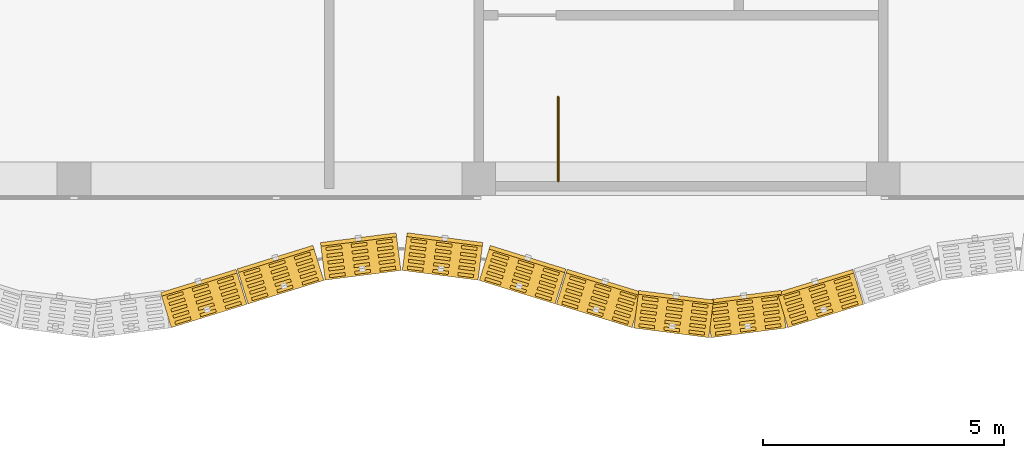
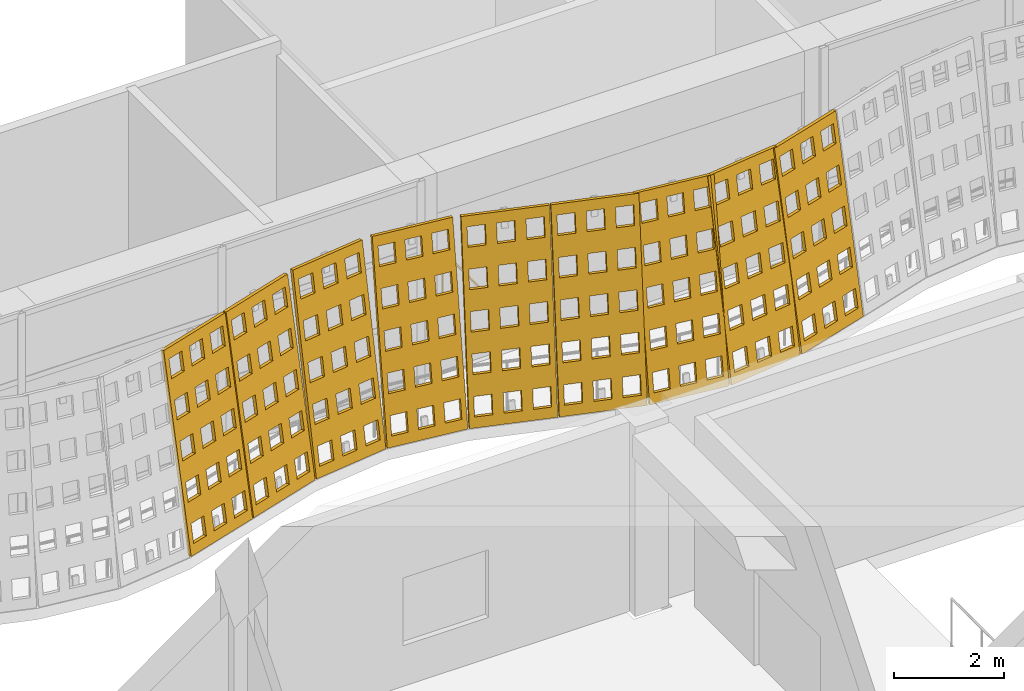
# One storey, part 146 of 162: 9 coverings, 1 railing.
"""IFC4 building model written with IfcOpenShell, lengths in metres."""

from ifc_helpers import new_model, si_unit, direction, frame, origin, origin_2d, place, context, subcontext, project, spatial, polyline, circle, outline, extrude, material, layer, layer_set, type_object, element, save


model = new_model("IFC4")

# Units and contexts
model_context = context("Model", 3, precision=1e-05, world=origin(), true_north=direction((0.0, 1.0)))
body_context = subcontext(model_context, "Body", "Model", "MODEL_VIEW")
ifc_project = project(units=[si_unit("LENGTHUNIT", "METRE"), si_unit("AREAUNIT", "SQUARE_METRE"), si_unit("VOLUMEUNIT", "CUBIC_METRE"), si_unit("PLANEANGLEUNIT", "RADIAN"), si_unit("MASSUNIT", "GRAM", prefix="KILO")], contexts=[model_context])

# Site, building, storey
site_placement = place(None, origin())
site = spatial("IfcSite", under=ifc_project, at=site_placement, CompositionType="ELEMENT")
building_placement = place(site_placement, origin())
building = spatial("IfcBuilding", under=site, at=building_placement, Name="Rain Tree Exposition and Congress Centre", CompositionType="ELEMENT")
storey_placement = place(building_placement, frame((0.0, 0.0, 6.0)))
storey = spatial("IfcBuildingStorey", under=building, at=storey_placement, Name="L01", CompositionType="ELEMENT", Elevation=6.0)

# Railing
ifc_material_1 = material(Name="Aluminium and glass balustrade", Category="aluminium")
railing_type = type_object("IfcRailingType", Name="Concourse guard 1100", PredefinedType="GUARDRAIL", material=ifc_material_1)
railing_placement = place(storey_placement, frame((169.64990234375, 75.550048828125, 0.0)))
element("IfcRailing", 1, at=railing_placement, inside=storey, type_object=railing_type, Name="L01 ST-C4 top well guard 1", PredefinedType="GUARDRAIL", context=body_context, shape_type="SweptSolid", body=[
    extrude(circle(Radius=0.02392578125, at=origin_2d()), frame((0.0, 0.0, 1.076171875), z_axis=(0.0, 1.0, 0.0), x_axis=(-1.0, 0.0, 0.0)), (0.0, 0.0, 1.0), 1.75),
    extrude(circle(Radius=0.02099609375, at=origin_2d()), origin(), (0.0, 0.0, 1.0), 1.052001953125),
    extrude(circle(Radius=0.02099609375, at=origin_2d()), frame((0.0, 0.875, 0.0)), (0.0, 0.0, 1.0), 1.052001953125),
    extrude(circle(Radius=0.02099609375, at=origin_2d()), frame((0.0, 1.75, 0.0)), (0.0, 0.0, 1.0), 1.052001953125),
])

# Coverings
ifc_material_2 = material(Name="Perforated terracotta", Category="masonry")
ifc_layer = layer(ifc_material_2, 0.080078125)
ifc_layer_set = layer_set([ifc_layer], Name="Perforated terracotta")
covering_type = type_object("IfcCoveringType", Name="Terracotta screen 80", PredefinedType="CLADDING", material=ifc_layer_set)
covering_1_placement = place(storey_placement, frame((161.599365234375, 72.506591796875, 0.0126953125), z_axis=(-0.290138898064, 0.943714942124, -0.158812870519), x_axis=(-0.955845867297, -0.293868470528, 0.0)))
element("IfcCovering", 2, at=covering_1_placement, inside=storey, type_object=covering_type, Name="concourse/screen/L01/102", PredefinedType="CLADDING", context=body_context, shape_type="SweptSolid", body=[
    extrude(outline(polyline([(-1.659912109375, 0.0), (-1.659912109375, 4.29150390625), (-0.02197265625, 4.29150390625), (-0.02197265625, 0.0), (-1.659912109375, 0.0)]), holes=[polyline([(-0.125732421875, 0.221435546875), (-0.125732421875, 0.63671875), (-0.464111328125, 0.63671875), (-0.464111328125, 0.221435546875), (-0.125732421875, 0.221435546875)]), polyline([(-0.125732421875, 1.079833984375), (-0.125732421875, 1.4951171875), (-0.464111328125, 1.4951171875), (-0.464111328125, 1.079833984375), (-0.125732421875, 1.079833984375)]), polyline([(-0.125732421875, 1.93798828125), (-0.125732421875, 2.353271484375), (-0.464111328125, 2.353271484375), (-0.464111328125, 1.93798828125), (-0.125732421875, 1.93798828125)]), polyline([(-0.125732421875, 2.79638671875), (-0.125732421875, 3.211669921875), (-0.464111328125, 3.211669921875), (-0.464111328125, 2.79638671875), (-0.125732421875, 2.79638671875)]), polyline([(-0.125732421875, 3.654541015625), (-0.125732421875, 4.06982421875), (-0.464111328125, 4.06982421875), (-0.464111328125, 3.654541015625), (-0.125732421875, 3.654541015625)]), polyline([(-0.671630859375, 0.221435546875), (-0.671630859375, 0.63671875), (-1.010009765625, 0.63671875), (-1.010009765625, 0.221435546875), (-0.671630859375, 0.221435546875)]), polyline([(-0.671630859375, 1.079833984375), (-0.671630859375, 1.4951171875), (-1.010009765625, 1.4951171875), (-1.010009765625, 1.079833984375), (-0.671630859375, 1.079833984375)]), polyline([(-0.671630859375, 1.93798828125), (-0.671630859375, 2.353271484375), (-1.010009765625, 2.353271484375), (-1.010009765625, 1.93798828125), (-0.671630859375, 1.93798828125)]), polyline([(-0.671630859375, 2.79638671875), (-0.671630859375, 3.211669921875), (-1.010009765625, 3.211669921875), (-1.010009765625, 2.79638671875), (-0.671630859375, 2.79638671875)]), polyline([(-0.671630859375, 3.654541015625), (-0.671630859375, 4.06982421875), (-1.010009765625, 4.06982421875), (-1.010009765625, 3.654541015625), (-0.671630859375, 3.654541015625)]), polyline([(-1.217529296875, 0.221435546875), (-1.217529296875, 0.63671875), (-1.55615234375, 0.63671875), (-1.55615234375, 0.221435546875), (-1.217529296875, 0.221435546875)]), polyline([(-1.217529296875, 1.079833984375), (-1.217529296875, 1.4951171875), (-1.55615234375, 1.4951171875), (-1.55615234375, 1.079833984375), (-1.217529296875, 1.079833984375)]), polyline([(-1.217529296875, 1.93798828125), (-1.217529296875, 2.353271484375), (-1.55615234375, 2.353271484375), (-1.55615234375, 1.93798828125), (-1.217529296875, 1.93798828125)]), polyline([(-1.217529296875, 2.79638671875), (-1.217529296875, 3.211669921875), (-1.55615234375, 3.211669921875), (-1.55615234375, 2.79638671875), (-1.217529296875, 2.79638671875)]), polyline([(-1.217529296875, 3.654541015625), (-1.217529296875, 4.06982421875), (-1.55615234375, 4.06982421875), (-1.55615234375, 3.654541015625), (-1.217529296875, 3.654541015625)])]), origin(), (0.0, 0.0, 1.0), 0.079833984375),
])
covering_2_placement = place(storey_placement, frame((163.199462890625, 73.001708984375, 0.0126953125), z_axis=(-0.292932171154, 0.942875425902, -0.158671592708), x_axis=(-0.954973588716, -0.296690823679, 0.0)))
element("IfcCovering", 3, at=covering_2_placement, inside=storey, type_object=covering_type, Name="concourse/screen/L01/103", PredefinedType="CLADDING", context=body_context, shape_type="SweptSolid", body=[
    extrude(outline(polyline([(-1.659912109375, 0.0), (-1.659912109375, 4.29150390625), (-0.014892578125, 4.29150390625), (-0.014892578125, 0.0), (-1.659912109375, 0.0)]), holes=[polyline([(-0.119140625, 0.221435546875), (-0.119140625, 0.63671875), (-0.458984375, 0.63671875), (-0.458984375, 0.221435546875), (-0.119140625, 0.221435546875)]), polyline([(-0.119140625, 1.079833984375), (-0.119140625, 1.4951171875), (-0.458984375, 1.4951171875), (-0.458984375, 1.079833984375), (-0.119140625, 1.079833984375)]), polyline([(-0.119140625, 1.93798828125), (-0.119140625, 2.353271484375), (-0.458984375, 2.353271484375), (-0.458984375, 1.93798828125), (-0.119140625, 1.93798828125)]), polyline([(-0.119140625, 2.79638671875), (-0.119140625, 3.211669921875), (-0.458984375, 3.211669921875), (-0.458984375, 2.79638671875), (-0.119140625, 2.79638671875)]), polyline([(-0.119140625, 3.654541015625), (-0.119140625, 4.06982421875), (-0.458984375, 4.06982421875), (-0.458984375, 3.654541015625), (-0.119140625, 3.654541015625)]), polyline([(-0.66748046875, 0.221435546875), (-0.66748046875, 0.63671875), (-1.00732421875, 0.63671875), (-1.00732421875, 0.221435546875), (-0.66748046875, 0.221435546875)]), polyline([(-0.66748046875, 1.079833984375), (-0.66748046875, 1.4951171875), (-1.00732421875, 1.4951171875), (-1.00732421875, 1.079833984375), (-0.66748046875, 1.079833984375)]), polyline([(-0.66748046875, 1.93798828125), (-0.66748046875, 2.353271484375), (-1.00732421875, 2.353271484375), (-1.00732421875, 1.93798828125), (-0.66748046875, 1.93798828125)]), polyline([(-0.66748046875, 2.79638671875), (-0.66748046875, 3.211669921875), (-1.00732421875, 3.211669921875), (-1.00732421875, 2.79638671875), (-0.66748046875, 2.79638671875)]), polyline([(-0.66748046875, 3.654541015625), (-0.66748046875, 4.06982421875), (-1.00732421875, 4.06982421875), (-1.00732421875, 3.654541015625), (-0.66748046875, 3.654541015625)]), polyline([(-1.2158203125, 0.221435546875), (-1.2158203125, 0.63671875), (-1.5556640625, 0.63671875), (-1.5556640625, 0.221435546875), (-1.2158203125, 0.221435546875)]), polyline([(-1.2158203125, 1.079833984375), (-1.2158203125, 1.4951171875), (-1.5556640625, 1.4951171875), (-1.5556640625, 1.079833984375), (-1.2158203125, 1.079833984375)]), polyline([(-1.2158203125, 1.93798828125), (-1.2158203125, 2.353271484375), (-1.5556640625, 2.353271484375), (-1.5556640625, 1.93798828125), (-1.2158203125, 1.93798828125)]), polyline([(-1.2158203125, 2.79638671875), (-1.2158203125, 3.211669921875), (-1.5556640625, 3.211669921875), (-1.5556640625, 2.79638671875), (-1.2158203125, 2.79638671875)]), polyline([(-1.2158203125, 3.654541015625), (-1.2158203125, 4.06982421875), (-1.5556640625, 4.06982421875), (-1.5556640625, 3.654541015625), (-1.2158203125, 3.654541015625)])]), origin(), (0.0, 0.0, 1.0), 0.080078125),
])
covering_3_placement = place(storey_placement, frame((164.7998046875, 73.496826171875, 0.01318359375), z_axis=(-0.124968640969, 0.978413018317, -0.164592844203), x_axis=(-0.991941518713, -0.126696580272, 0.0)))
element("IfcCovering", 4, at=covering_3_placement, inside=storey, type_object=covering_type, Name="concourse/screen/L01/104", PredefinedType="CLADDING", context=body_context, shape_type="SweptSolid", body=[
    extrude(outline(polyline([(-1.59814453125, 0.0), (-1.59814453125, 4.295166015625), (-0.014892578125, 4.295166015625), (-0.014892578125, 0.0), (-1.59814453125, 0.0)]), holes=[polyline([(-0.115234375, 0.2216796875), (-0.115234375, 0.63720703125), (-0.4423828125, 0.63720703125), (-0.4423828125, 0.2216796875), (-0.115234375, 0.2216796875)]), polyline([(-0.115234375, 1.080810546875), (-0.115234375, 1.496337890625), (-0.4423828125, 1.496337890625), (-0.4423828125, 1.080810546875), (-0.115234375, 1.080810546875)]), polyline([(-0.115234375, 1.939697265625), (-0.115234375, 2.35546875), (-0.4423828125, 2.35546875), (-0.4423828125, 1.939697265625), (-0.115234375, 1.939697265625)]), polyline([(-0.115234375, 2.798583984375), (-0.115234375, 3.21435546875), (-0.4423828125, 3.21435546875), (-0.4423828125, 2.798583984375), (-0.115234375, 2.798583984375)]), polyline([(-0.115234375, 3.65771484375), (-0.115234375, 4.073486328125), (-0.4423828125, 4.073486328125), (-0.4423828125, 3.65771484375), (-0.115234375, 3.65771484375)]), polyline([(-0.64306640625, 0.2216796875), (-0.64306640625, 0.63720703125), (-0.97021484375, 0.63720703125), (-0.97021484375, 0.2216796875), (-0.64306640625, 0.2216796875)]), polyline([(-0.64306640625, 1.080810546875), (-0.64306640625, 1.496337890625), (-0.97021484375, 1.496337890625), (-0.97021484375, 1.080810546875), (-0.64306640625, 1.080810546875)]), polyline([(-0.64306640625, 1.939697265625), (-0.64306640625, 2.35546875), (-0.97021484375, 2.35546875), (-0.97021484375, 1.939697265625), (-0.64306640625, 1.939697265625)]), polyline([(-0.64306640625, 2.798583984375), (-0.64306640625, 3.21435546875), (-0.97021484375, 3.21435546875), (-0.97021484375, 2.798583984375), (-0.64306640625, 2.798583984375)]), polyline([(-0.64306640625, 3.65771484375), (-0.64306640625, 4.073486328125), (-0.97021484375, 4.073486328125), (-0.97021484375, 3.65771484375), (-0.64306640625, 3.65771484375)]), polyline([(-1.170654296875, 0.2216796875), (-1.170654296875, 0.63720703125), (-1.497802734375, 0.63720703125), (-1.497802734375, 0.2216796875), (-1.170654296875, 0.2216796875)]), polyline([(-1.170654296875, 1.080810546875), (-1.170654296875, 1.496337890625), (-1.497802734375, 1.496337890625), (-1.497802734375, 1.080810546875), (-1.170654296875, 1.080810546875)]), polyline([(-1.170654296875, 1.939697265625), (-1.170654296875, 2.35546875), (-1.497802734375, 2.35546875), (-1.497802734375, 1.939697265625), (-1.170654296875, 1.939697265625)]), polyline([(-1.170654296875, 2.798583984375), (-1.170654296875, 3.21435546875), (-1.497802734375, 3.21435546875), (-1.497802734375, 2.798583984375), (-1.170654296875, 2.798583984375)]), polyline([(-1.170654296875, 3.65771484375), (-1.170654296875, 4.073486328125), (-1.497802734375, 4.073486328125), (-1.497802734375, 3.65771484375), (-1.170654296875, 3.65771484375)])]), origin(), (0.0, 0.0, 1.0), 0.080078125),
])
covering_4_placement = place(storey_placement, frame((166.400390625, 73.701904296875, 0.01318359375), z_axis=(0.125342414455, 0.978282259159, -0.165085131233), x_axis=(-0.991891686382, 0.127086122318, 0.0)))
element("IfcCovering", 5, at=covering_4_placement, inside=storey, type_object=covering_type, Name="concourse/screen/L01/105", PredefinedType="CLADDING", context=body_context, shape_type="SweptSolid", body=[
    extrude(outline(polyline([(-1.59814453125, 0.0), (-1.59814453125, 4.295166015625), (-0.014892578125, 4.295166015625), (-0.014892578125, 0.0), (-1.59814453125, 0.0)]), holes=[polyline([(-0.115234375, 0.2216796875), (-0.115234375, 0.63720703125), (-0.4423828125, 0.63720703125), (-0.4423828125, 0.2216796875), (-0.115234375, 0.2216796875)]), polyline([(-0.115234375, 1.080810546875), (-0.115234375, 1.496337890625), (-0.4423828125, 1.496337890625), (-0.4423828125, 1.080810546875), (-0.115234375, 1.080810546875)]), polyline([(-0.115234375, 1.939697265625), (-0.115234375, 2.35546875), (-0.4423828125, 2.35546875), (-0.4423828125, 1.939697265625), (-0.115234375, 1.939697265625)]), polyline([(-0.115234375, 2.798583984375), (-0.115234375, 3.21435546875), (-0.4423828125, 3.21435546875), (-0.4423828125, 2.798583984375), (-0.115234375, 2.798583984375)]), polyline([(-0.115234375, 3.65771484375), (-0.115234375, 4.073486328125), (-0.4423828125, 4.073486328125), (-0.4423828125, 3.65771484375), (-0.115234375, 3.65771484375)]), polyline([(-0.64306640625, 0.2216796875), (-0.64306640625, 0.63720703125), (-0.97021484375, 0.63720703125), (-0.97021484375, 0.2216796875), (-0.64306640625, 0.2216796875)]), polyline([(-0.64306640625, 1.080810546875), (-0.64306640625, 1.496337890625), (-0.97021484375, 1.496337890625), (-0.97021484375, 1.080810546875), (-0.64306640625, 1.080810546875)]), polyline([(-0.64306640625, 1.939697265625), (-0.64306640625, 2.35546875), (-0.97021484375, 2.35546875), (-0.97021484375, 1.939697265625), (-0.64306640625, 1.939697265625)]), polyline([(-0.64306640625, 2.798583984375), (-0.64306640625, 3.21435546875), (-0.97021484375, 3.21435546875), (-0.97021484375, 2.798583984375), (-0.64306640625, 2.798583984375)]), polyline([(-0.64306640625, 3.65771484375), (-0.64306640625, 4.073486328125), (-0.97021484375, 4.073486328125), (-0.97021484375, 3.65771484375), (-0.64306640625, 3.65771484375)]), polyline([(-1.170654296875, 0.2216796875), (-1.170654296875, 0.63720703125), (-1.497802734375, 0.63720703125), (-1.497802734375, 0.2216796875), (-1.170654296875, 0.2216796875)]), polyline([(-1.170654296875, 1.080810546875), (-1.170654296875, 1.496337890625), (-1.497802734375, 1.496337890625), (-1.497802734375, 1.080810546875), (-1.170654296875, 1.080810546875)]), polyline([(-1.170654296875, 1.939697265625), (-1.170654296875, 2.35546875), (-1.497802734375, 2.35546875), (-1.497802734375, 1.939697265625), (-1.170654296875, 1.939697265625)]), polyline([(-1.170654296875, 2.798583984375), (-1.170654296875, 3.21435546875), (-1.497802734375, 3.21435546875), (-1.497802734375, 2.798583984375), (-1.170654296875, 2.798583984375)]), polyline([(-1.170654296875, 3.65771484375), (-1.170654296875, 4.073486328125), (-1.497802734375, 4.073486328125), (-1.497802734375, 3.65771484375), (-1.170654296875, 3.65771484375)])]), origin(), (0.0, 0.0, 1.0), 0.079833984375),
])
covering_5_placement = place(storey_placement, frame((168.00048828125, 73.49658203125, 0.0126953125), z_axis=(0.292932171154, 0.942875425902, -0.158671592708), x_axis=(-0.954973588716, 0.296690823679, 0.0)))
element("IfcCovering", 6, at=covering_5_placement, inside=storey, type_object=covering_type, Name="concourse/screen/L01/106", PredefinedType="CLADDING", context=body_context, shape_type="SweptSolid", body=[
    extrude(outline(polyline([(-1.659912109375, 0.0), (-1.659912109375, 4.29150390625), (-0.014892578125, 4.29150390625), (-0.014892578125, 0.0), (-1.659912109375, 0.0)]), holes=[polyline([(-0.119140625, 0.221435546875), (-0.119140625, 0.63671875), (-0.458984375, 0.63671875), (-0.458984375, 0.221435546875), (-0.119140625, 0.221435546875)]), polyline([(-0.119140625, 1.079833984375), (-0.119140625, 1.4951171875), (-0.458984375, 1.4951171875), (-0.458984375, 1.079833984375), (-0.119140625, 1.079833984375)]), polyline([(-0.119140625, 1.93798828125), (-0.119140625, 2.353271484375), (-0.458984375, 2.353271484375), (-0.458984375, 1.93798828125), (-0.119140625, 1.93798828125)]), polyline([(-0.119140625, 2.79638671875), (-0.119140625, 3.211669921875), (-0.458984375, 3.211669921875), (-0.458984375, 2.79638671875), (-0.119140625, 2.79638671875)]), polyline([(-0.119140625, 3.654541015625), (-0.119140625, 4.06982421875), (-0.458984375, 4.06982421875), (-0.458984375, 3.654541015625), (-0.119140625, 3.654541015625)]), polyline([(-0.66748046875, 0.221435546875), (-0.66748046875, 0.63671875), (-1.00732421875, 0.63671875), (-1.00732421875, 0.221435546875), (-0.66748046875, 0.221435546875)]), polyline([(-0.66748046875, 1.079833984375), (-0.66748046875, 1.4951171875), (-1.00732421875, 1.4951171875), (-1.00732421875, 1.079833984375), (-0.66748046875, 1.079833984375)]), polyline([(-0.66748046875, 1.93798828125), (-0.66748046875, 2.353271484375), (-1.00732421875, 2.353271484375), (-1.00732421875, 1.93798828125), (-0.66748046875, 1.93798828125)]), polyline([(-0.66748046875, 2.79638671875), (-0.66748046875, 3.211669921875), (-1.00732421875, 3.211669921875), (-1.00732421875, 2.79638671875), (-0.66748046875, 2.79638671875)]), polyline([(-0.66748046875, 3.654541015625), (-0.66748046875, 4.06982421875), (-1.00732421875, 4.06982421875), (-1.00732421875, 3.654541015625), (-0.66748046875, 3.654541015625)]), polyline([(-1.2158203125, 0.221435546875), (-1.2158203125, 0.63671875), (-1.5556640625, 0.63671875), (-1.5556640625, 0.221435546875), (-1.2158203125, 0.221435546875)]), polyline([(-1.2158203125, 1.079833984375), (-1.2158203125, 1.4951171875), (-1.5556640625, 1.4951171875), (-1.5556640625, 1.079833984375), (-1.2158203125, 1.079833984375)]), polyline([(-1.2158203125, 1.93798828125), (-1.2158203125, 2.353271484375), (-1.5556640625, 2.353271484375), (-1.5556640625, 1.93798828125), (-1.2158203125, 1.93798828125)]), polyline([(-1.2158203125, 2.79638671875), (-1.2158203125, 3.211669921875), (-1.5556640625, 3.211669921875), (-1.5556640625, 2.79638671875), (-1.2158203125, 2.79638671875)]), polyline([(-1.2158203125, 3.654541015625), (-1.2158203125, 4.06982421875), (-1.5556640625, 4.06982421875), (-1.5556640625, 3.654541015625), (-1.2158203125, 3.654541015625)])]), origin(), (0.0, 0.0, 1.0), 0.080078125),
])
covering_6_placement = place(storey_placement, frame((169.6005859375, 73.001708984375, 0.0126953125), z_axis=(0.290138898064, 0.943714942124, -0.158812870519), x_axis=(-0.955845867297, 0.293868470528, 0.0)))
element("IfcCovering", 7, at=covering_6_placement, inside=storey, type_object=covering_type, Name="concourse/screen/L01/107", PredefinedType="CLADDING", context=body_context, shape_type="SweptSolid", body=[
    extrude(outline(polyline([(-1.65283203125, 0.0), (-1.65283203125, 4.29150390625), (-0.014892578125, 4.29150390625), (-0.014892578125, 0.0), (-1.65283203125, 0.0)]), holes=[polyline([(-0.11865234375, 0.221435546875), (-0.11865234375, 0.63671875), (-0.457275390625, 0.63671875), (-0.457275390625, 0.221435546875), (-0.11865234375, 0.221435546875)]), polyline([(-0.11865234375, 1.079833984375), (-0.11865234375, 1.4951171875), (-0.457275390625, 1.4951171875), (-0.457275390625, 1.079833984375), (-0.11865234375, 1.079833984375)]), polyline([(-0.11865234375, 1.93798828125), (-0.11865234375, 2.353271484375), (-0.457275390625, 2.353271484375), (-0.457275390625, 1.93798828125), (-0.11865234375, 1.93798828125)]), polyline([(-0.11865234375, 2.79638671875), (-0.11865234375, 3.211669921875), (-0.457275390625, 3.211669921875), (-0.457275390625, 2.79638671875), (-0.11865234375, 2.79638671875)]), polyline([(-0.11865234375, 3.654541015625), (-0.11865234375, 4.06982421875), (-0.457275390625, 4.06982421875), (-0.457275390625, 3.654541015625), (-0.11865234375, 3.654541015625)]), polyline([(-0.664794921875, 0.221435546875), (-0.664794921875, 0.63671875), (-1.003173828125, 0.63671875), (-1.003173828125, 0.221435546875), (-0.664794921875, 0.221435546875)]), polyline([(-0.664794921875, 1.079833984375), (-0.664794921875, 1.4951171875), (-1.003173828125, 1.4951171875), (-1.003173828125, 1.079833984375), (-0.664794921875, 1.079833984375)]), polyline([(-0.664794921875, 1.93798828125), (-0.664794921875, 2.353271484375), (-1.003173828125, 2.353271484375), (-1.003173828125, 1.93798828125), (-0.664794921875, 1.93798828125)]), polyline([(-0.664794921875, 2.79638671875), (-0.664794921875, 3.211669921875), (-1.003173828125, 3.211669921875), (-1.003173828125, 2.79638671875), (-0.664794921875, 2.79638671875)]), polyline([(-0.664794921875, 3.654541015625), (-0.664794921875, 4.06982421875), (-1.003173828125, 4.06982421875), (-1.003173828125, 3.654541015625), (-0.664794921875, 3.654541015625)]), polyline([(-1.210693359375, 0.221435546875), (-1.210693359375, 0.63671875), (-1.54931640625, 0.63671875), (-1.54931640625, 0.221435546875), (-1.210693359375, 0.221435546875)]), polyline([(-1.210693359375, 1.079833984375), (-1.210693359375, 1.4951171875), (-1.54931640625, 1.4951171875), (-1.54931640625, 1.079833984375), (-1.210693359375, 1.079833984375)]), polyline([(-1.210693359375, 1.93798828125), (-1.210693359375, 2.353271484375), (-1.54931640625, 2.353271484375), (-1.54931640625, 1.93798828125), (-1.210693359375, 1.93798828125)]), polyline([(-1.210693359375, 2.79638671875), (-1.210693359375, 3.211669921875), (-1.54931640625, 3.211669921875), (-1.54931640625, 2.79638671875), (-1.210693359375, 2.79638671875)]), polyline([(-1.210693359375, 3.654541015625), (-1.210693359375, 4.06982421875), (-1.54931640625, 4.06982421875), (-1.54931640625, 3.654541015625), (-1.210693359375, 3.654541015625)])]), origin(), (0.0, 0.0, 1.0), 0.079833984375),
])
covering_7_placement = place(storey_placement, frame((171.2001953125, 72.5068359375, 0.01318359375), z_axis=(0.124968640969, 0.978413018317, -0.164592844203), x_axis=(-0.991941518713, 0.126696580272, 0.0)))
element("IfcCovering", 8, at=covering_7_placement, inside=storey, type_object=covering_type, Name="concourse/screen/L01/108", PredefinedType="CLADDING", context=body_context, shape_type="SweptSolid", body=[
    extrude(outline(polyline([(-1.587890625, 0.0), (-1.587890625, 4.295166015625), (-0.02197265625, 4.295166015625), (-0.02197265625, 0.0), (-1.587890625, 0.0)]), holes=[polyline([(-0.12109375, 0.2216796875), (-0.12109375, 0.63720703125), (-0.444580078125, 0.63720703125), (-0.444580078125, 0.2216796875), (-0.12109375, 0.2216796875)]), polyline([(-0.12109375, 1.080810546875), (-0.12109375, 1.496337890625), (-0.444580078125, 1.496337890625), (-0.444580078125, 1.080810546875), (-0.12109375, 1.080810546875)]), polyline([(-0.12109375, 1.939697265625), (-0.12109375, 2.35546875), (-0.444580078125, 2.35546875), (-0.444580078125, 1.939697265625), (-0.12109375, 1.939697265625)]), polyline([(-0.12109375, 2.798583984375), (-0.12109375, 3.21435546875), (-0.444580078125, 3.21435546875), (-0.444580078125, 2.798583984375), (-0.12109375, 2.798583984375)]), polyline([(-0.12109375, 3.65771484375), (-0.12109375, 4.073486328125), (-0.444580078125, 4.073486328125), (-0.444580078125, 3.65771484375), (-0.12109375, 3.65771484375)]), polyline([(-0.64306640625, 0.2216796875), (-0.64306640625, 0.63720703125), (-0.966796875, 0.63720703125), (-0.966796875, 0.2216796875), (-0.64306640625, 0.2216796875)]), polyline([(-0.64306640625, 1.080810546875), (-0.64306640625, 1.496337890625), (-0.966796875, 1.496337890625), (-0.966796875, 1.080810546875), (-0.64306640625, 1.080810546875)]), polyline([(-0.64306640625, 1.939697265625), (-0.64306640625, 2.35546875), (-0.966796875, 2.35546875), (-0.966796875, 1.939697265625), (-0.64306640625, 1.939697265625)]), polyline([(-0.64306640625, 2.798583984375), (-0.64306640625, 3.21435546875), (-0.966796875, 3.21435546875), (-0.966796875, 2.798583984375), (-0.64306640625, 2.798583984375)]), polyline([(-0.64306640625, 3.65771484375), (-0.64306640625, 4.073486328125), (-0.966796875, 4.073486328125), (-0.966796875, 3.65771484375), (-0.64306640625, 3.65771484375)]), polyline([(-1.1650390625, 0.2216796875), (-1.1650390625, 0.63720703125), (-1.48876953125, 0.63720703125), (-1.48876953125, 0.2216796875), (-1.1650390625, 0.2216796875)]), polyline([(-1.1650390625, 1.080810546875), (-1.1650390625, 1.496337890625), (-1.48876953125, 1.496337890625), (-1.48876953125, 1.080810546875), (-1.1650390625, 1.080810546875)]), polyline([(-1.1650390625, 1.939697265625), (-1.1650390625, 2.35546875), (-1.48876953125, 2.35546875), (-1.48876953125, 1.939697265625), (-1.1650390625, 1.939697265625)]), polyline([(-1.1650390625, 2.798583984375), (-1.1650390625, 3.21435546875), (-1.48876953125, 3.21435546875), (-1.48876953125, 2.798583984375), (-1.1650390625, 2.798583984375)]), polyline([(-1.1650390625, 3.65771484375), (-1.1650390625, 4.073486328125), (-1.48876953125, 4.073486328125), (-1.48876953125, 3.65771484375), (-1.1650390625, 3.65771484375)])]), origin(), (0.0, 0.0, 1.0), 0.080078125),
])
covering_8_placement = place(storey_placement, frame((172.7998046875, 72.302001953125, 0.01318359375), z_axis=(-0.125342414455, 0.978282259159, -0.165085131233), x_axis=(-0.991891686382, -0.127086122318, 0.0)))
element("IfcCovering", 9, at=covering_8_placement, inside=storey, type_object=covering_type, Name="concourse/screen/L01/109", PredefinedType="CLADDING", context=body_context, shape_type="SweptSolid", body=[
    extrude(outline(polyline([(-1.59130859375, 0.0), (-1.59130859375, 4.295166015625), (-0.025146484375, 4.295166015625), (-0.025146484375, 0.0), (-1.59130859375, 0.0)]), holes=[polyline([(-0.12451171875, 0.2216796875), (-0.12451171875, 0.63720703125), (-0.447998046875, 0.63720703125), (-0.447998046875, 0.2216796875), (-0.12451171875, 0.2216796875)]), polyline([(-0.12451171875, 1.080810546875), (-0.12451171875, 1.496337890625), (-0.447998046875, 1.496337890625), (-0.447998046875, 1.080810546875), (-0.12451171875, 1.080810546875)]), polyline([(-0.12451171875, 1.939697265625), (-0.12451171875, 2.35546875), (-0.447998046875, 2.35546875), (-0.447998046875, 1.939697265625), (-0.12451171875, 1.939697265625)]), polyline([(-0.12451171875, 2.798583984375), (-0.12451171875, 3.21435546875), (-0.447998046875, 3.21435546875), (-0.447998046875, 2.798583984375), (-0.12451171875, 2.798583984375)]), polyline([(-0.12451171875, 3.65771484375), (-0.12451171875, 4.073486328125), (-0.447998046875, 4.073486328125), (-0.447998046875, 3.65771484375), (-0.12451171875, 3.65771484375)]), polyline([(-0.646484375, 0.2216796875), (-0.646484375, 0.63720703125), (-0.969970703125, 0.63720703125), (-0.969970703125, 0.2216796875), (-0.646484375, 0.2216796875)]), polyline([(-0.646484375, 1.080810546875), (-0.646484375, 1.496337890625), (-0.969970703125, 1.496337890625), (-0.969970703125, 1.080810546875), (-0.646484375, 1.080810546875)]), polyline([(-0.646484375, 1.939697265625), (-0.646484375, 2.35546875), (-0.969970703125, 2.35546875), (-0.969970703125, 1.939697265625), (-0.646484375, 1.939697265625)]), polyline([(-0.646484375, 2.798583984375), (-0.646484375, 3.21435546875), (-0.969970703125, 3.21435546875), (-0.969970703125, 2.798583984375), (-0.646484375, 2.798583984375)]), polyline([(-0.646484375, 3.65771484375), (-0.646484375, 4.073486328125), (-0.969970703125, 4.073486328125), (-0.969970703125, 3.65771484375), (-0.646484375, 3.65771484375)]), polyline([(-1.16845703125, 0.2216796875), (-1.16845703125, 0.63720703125), (-1.491943359375, 0.63720703125), (-1.491943359375, 0.2216796875), (-1.16845703125, 0.2216796875)]), polyline([(-1.16845703125, 1.080810546875), (-1.16845703125, 1.496337890625), (-1.491943359375, 1.496337890625), (-1.491943359375, 1.080810546875), (-1.16845703125, 1.080810546875)]), polyline([(-1.16845703125, 1.939697265625), (-1.16845703125, 2.35546875), (-1.491943359375, 2.35546875), (-1.491943359375, 1.939697265625), (-1.16845703125, 1.939697265625)]), polyline([(-1.16845703125, 2.798583984375), (-1.16845703125, 3.21435546875), (-1.491943359375, 3.21435546875), (-1.491943359375, 2.798583984375), (-1.16845703125, 2.798583984375)]), polyline([(-1.16845703125, 3.65771484375), (-1.16845703125, 4.073486328125), (-1.491943359375, 4.073486328125), (-1.491943359375, 3.65771484375), (-1.16845703125, 3.65771484375)])]), origin(), (0.0, 0.0, 1.0), 0.079833984375),
])
covering_9_placement = place(storey_placement, frame((174.3994140625, 72.506591796875, 0.0126953125), z_axis=(-0.290138898064, 0.943714942124, -0.158812870519), x_axis=(-0.955845867297, -0.293868470528, 0.0)))
element("IfcCovering", 10, at=covering_9_placement, inside=storey, type_object=covering_type, Name="concourse/screen/L01/110", PredefinedType="CLADDING", context=body_context, shape_type="SweptSolid", body=[
    extrude(outline(polyline([(-1.659912109375, 0.0), (-1.659912109375, 4.29150390625), (-0.02197265625, 4.29150390625), (-0.02197265625, 0.0), (-1.659912109375, 0.0)]), holes=[polyline([(-0.125732421875, 0.221435546875), (-0.125732421875, 0.63671875), (-0.464111328125, 0.63671875), (-0.464111328125, 0.221435546875), (-0.125732421875, 0.221435546875)]), polyline([(-0.125732421875, 1.079833984375), (-0.125732421875, 1.4951171875), (-0.464111328125, 1.4951171875), (-0.464111328125, 1.079833984375), (-0.125732421875, 1.079833984375)]), polyline([(-0.125732421875, 1.93798828125), (-0.125732421875, 2.353271484375), (-0.464111328125, 2.353271484375), (-0.464111328125, 1.93798828125), (-0.125732421875, 1.93798828125)]), polyline([(-0.125732421875, 2.79638671875), (-0.125732421875, 3.211669921875), (-0.464111328125, 3.211669921875), (-0.464111328125, 2.79638671875), (-0.125732421875, 2.79638671875)]), polyline([(-0.125732421875, 3.654541015625), (-0.125732421875, 4.06982421875), (-0.464111328125, 4.06982421875), (-0.464111328125, 3.654541015625), (-0.125732421875, 3.654541015625)]), polyline([(-0.671630859375, 0.221435546875), (-0.671630859375, 0.63671875), (-1.010009765625, 0.63671875), (-1.010009765625, 0.221435546875), (-0.671630859375, 0.221435546875)]), polyline([(-0.671630859375, 1.079833984375), (-0.671630859375, 1.4951171875), (-1.010009765625, 1.4951171875), (-1.010009765625, 1.079833984375), (-0.671630859375, 1.079833984375)]), polyline([(-0.671630859375, 1.93798828125), (-0.671630859375, 2.353271484375), (-1.010009765625, 2.353271484375), (-1.010009765625, 1.93798828125), (-0.671630859375, 1.93798828125)]), polyline([(-0.671630859375, 2.79638671875), (-0.671630859375, 3.211669921875), (-1.010009765625, 3.211669921875), (-1.010009765625, 2.79638671875), (-0.671630859375, 2.79638671875)]), polyline([(-0.671630859375, 3.654541015625), (-0.671630859375, 4.06982421875), (-1.010009765625, 4.06982421875), (-1.010009765625, 3.654541015625), (-0.671630859375, 3.654541015625)]), polyline([(-1.217529296875, 0.221435546875), (-1.217529296875, 0.63671875), (-1.55615234375, 0.63671875), (-1.55615234375, 0.221435546875), (-1.217529296875, 0.221435546875)]), polyline([(-1.217529296875, 1.079833984375), (-1.217529296875, 1.4951171875), (-1.55615234375, 1.4951171875), (-1.55615234375, 1.079833984375), (-1.217529296875, 1.079833984375)]), polyline([(-1.217529296875, 1.93798828125), (-1.217529296875, 2.353271484375), (-1.55615234375, 2.353271484375), (-1.55615234375, 1.93798828125), (-1.217529296875, 1.93798828125)]), polyline([(-1.217529296875, 2.79638671875), (-1.217529296875, 3.211669921875), (-1.55615234375, 3.211669921875), (-1.55615234375, 2.79638671875), (-1.217529296875, 2.79638671875)]), polyline([(-1.217529296875, 3.654541015625), (-1.217529296875, 4.06982421875), (-1.55615234375, 4.06982421875), (-1.55615234375, 3.654541015625), (-1.217529296875, 3.654541015625)])]), origin(), (0.0, 0.0, 1.0), 0.079833984375),
])

save(model, "model.ifc")
